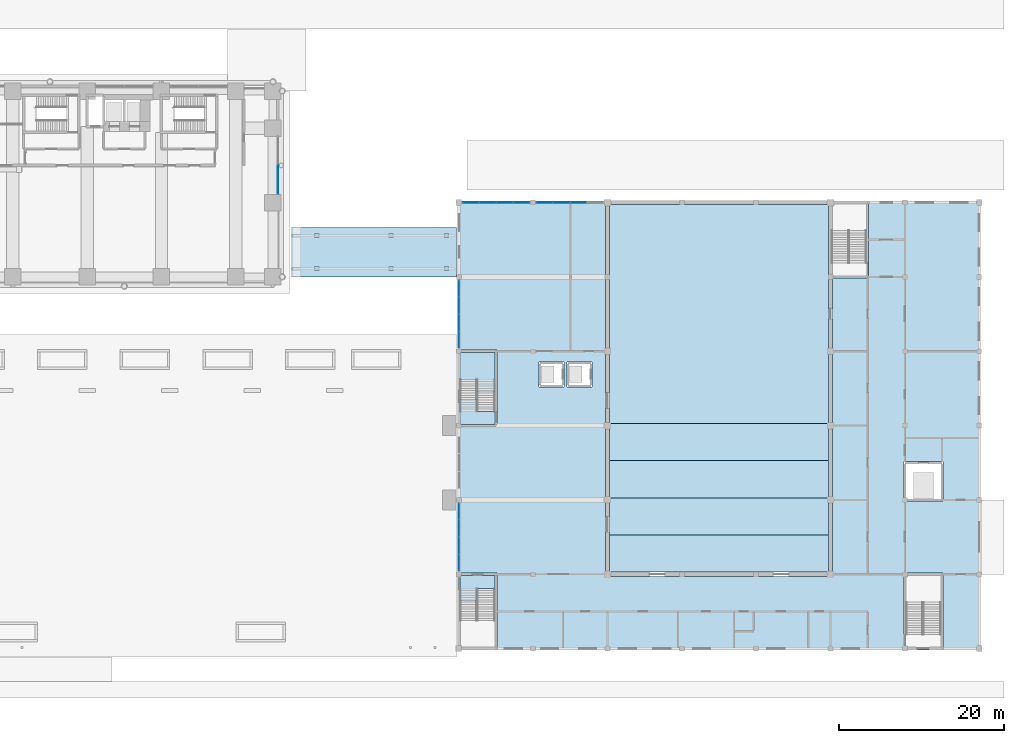
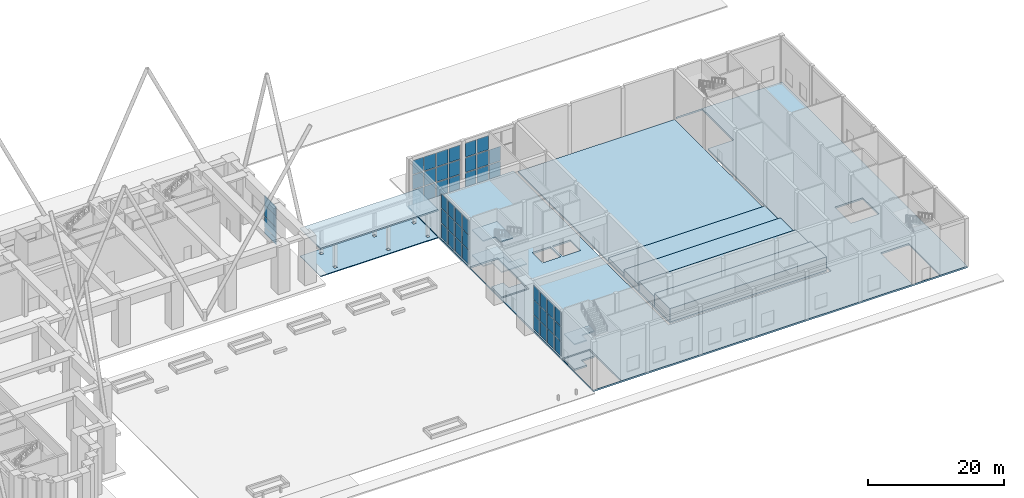
# One storey, part 24 of 44: 48 plates, 14 slabs, 7 elements without a shape of their own.
"""IFC4 building model written with IfcOpenShell, lengths in metres."""

from ifc_helpers import new_model, si_unit, direction, frame, origin, origin_2d, place, context, subcontext, project, spatial, polyline, rectangle, outline, extrude, material, layer, layer_set, type_object, element, aggregate, save


model = new_model("IFC4")

# Units and contexts
model_context = context("Model", 3, precision=1e-05, world=origin(), true_north=direction((0.0, 1.0)))
body_context = subcontext(model_context, "Body", "Model", "MODEL_VIEW")
ifc_project = project(units=[si_unit("LENGTHUNIT", "METRE"), si_unit("AREAUNIT", "SQUARE_METRE"), si_unit("VOLUMEUNIT", "CUBIC_METRE"), si_unit("PLANEANGLEUNIT", "RADIAN"), si_unit("MASSUNIT", "GRAM", prefix="KILO")], contexts=[model_context])

# Site, building, storey
site_placement = place(None, origin())
site = spatial("IfcSite", under=ifc_project, at=site_placement, CompositionType="ELEMENT")
building_placement = place(site_placement, origin())
building = spatial("IfcBuilding", under=site, at=building_placement, Name="Firuza Court", CompositionType="ELEMENT")
storey_placement = place(building_placement, origin())
storey = spatial("IfcBuildingStorey", under=building, at=storey_placement, Name="L00", CompositionType="ELEMENT", Elevation=0.0)

# Curtain wall, plates
ifc_material_1 = material(Name="Aluminium", Category="aluminium")
curtain_wall_type_1 = type_object("IfcCurtainWallType", Name="CW6 FOYER CURTAIN WALL", PredefinedType="NOTDEFINED", material=ifc_material_1)
curtain_wall_1_placement = place(storey_placement, origin())
curtain_wall_1 = element("IfcCurtainWall", 1, at=curtain_wall_1_placement, inside=storey, type_object=curtain_wall_type_1, Name="CW6 foyer curtain wall 1", PredefinedType="NOTDEFINED")
ifc_material_2 = material(Name="Glass", Category="glass")
ifc_layer_1 = layer(ifc_material_2, 0.028076171875)
ifc_layer_set_1 = layer_set([ifc_layer_1], Name="Glass")
plate_type_1 = type_object("IfcPlateType", Name="CW6 GLASS PANEL 28", PredefinedType="CURTAIN_PANEL", material=ifc_layer_set_1)
plate_1_placement = place(storey_placement, frame((90.0, 1.389892578125, 0.119873046875), z_axis=(0.0, 0.0, 1.0), x_axis=(0.0, 1.0, 0.0)))
plate_1 = element("IfcPlate", 2, at=plate_1_placement, type_object=plate_type_1, Name="CW6 panel 1.1", PredefinedType="CURTAIN_PANEL", context=body_context, shape_type="SweptSolid", body=[
    extrude(rectangle(XDim=1.860107421875, YDim=0.028076171875, at=origin_2d()), origin(), (0.0, 0.0, 1.0), 2.52001953125),
])
plate_2_placement = place(storey_placement, frame((90.0, 1.389892578125, 2.760009765625), z_axis=(0.0, 0.0, 1.0), x_axis=(0.0, 1.0, 0.0)))
plate_2 = element("IfcPlate", 3, at=plate_2_placement, type_object=plate_type_1, Name="CW6 panel 1.2", PredefinedType="CURTAIN_PANEL", context=body_context, shape_type="SweptSolid", body=[
    extrude(rectangle(XDim=1.860107421875, YDim=0.028076171875, at=origin_2d()), origin(), (0.0, 0.0, 1.0), 2.580078125),
])
plate_3_placement = place(storey_placement, frame((90.0, 1.389892578125, 5.4599609375), z_axis=(0.0, 0.0, 1.0), x_axis=(0.0, 1.0, 0.0)))
plate_3 = element("IfcPlate", 4, at=plate_3_placement, type_object=plate_type_1, Name="CW6 panel 1.3", PredefinedType="CURTAIN_PANEL", context=body_context, shape_type="SweptSolid", body=[
    extrude(rectangle(XDim=1.860107421875, YDim=0.028076171875, at=origin_2d()), origin(), (0.0, 0.0, 1.0), 2.52001953125),
])
plate_4_placement = place(storey_placement, frame((90.0, 3.449951171875, 0.119873046875), z_axis=(0.0, 0.0, 1.0), x_axis=(0.0, 1.0, 0.0)))
plate_4 = element("IfcPlate", 5, at=plate_4_placement, type_object=plate_type_1, Name="CW6 panel 2.1", PredefinedType="CURTAIN_PANEL", context=body_context, shape_type="SweptSolid", body=[
    extrude(rectangle(XDim=1.93994140625, YDim=0.028076171875, at=origin_2d()), origin(), (0.0, 0.0, 1.0), 2.52001953125),
])
plate_5_placement = place(storey_placement, frame((90.0, 3.449951171875, 2.760009765625), z_axis=(0.0, 0.0, 1.0), x_axis=(0.0, 1.0, 0.0)))
plate_5 = element("IfcPlate", 6, at=plate_5_placement, type_object=plate_type_1, Name="CW6 panel 2.2", PredefinedType="CURTAIN_PANEL", context=body_context, shape_type="SweptSolid", body=[
    extrude(rectangle(XDim=1.93994140625, YDim=0.028076171875, at=origin_2d()), origin(), (0.0, 0.0, 1.0), 2.580078125),
])
plate_6_placement = place(storey_placement, frame((90.0, 3.449951171875, 5.4599609375), z_axis=(0.0, 0.0, 1.0), x_axis=(0.0, 1.0, 0.0)))
plate_6 = element("IfcPlate", 7, at=plate_6_placement, type_object=plate_type_1, Name="CW6 panel 2.3", PredefinedType="CURTAIN_PANEL", context=body_context, shape_type="SweptSolid", body=[
    extrude(rectangle(XDim=1.93994140625, YDim=0.028076171875, at=origin_2d()), origin(), (0.0, 0.0, 1.0), 2.52001953125),
])
plate_7_placement = place(storey_placement, frame((90.0, 5.550048828125, 0.119873046875), z_axis=(0.0, 0.0, 1.0), x_axis=(0.0, 1.0, 0.0)))
plate_7 = element("IfcPlate", 8, at=plate_7_placement, type_object=plate_type_1, Name="CW6 panel 3.1", PredefinedType="CURTAIN_PANEL", context=body_context, shape_type="SweptSolid", body=[
    extrude(rectangle(XDim=1.93994140625, YDim=0.028076171875, at=origin_2d()), origin(), (0.0, 0.0, 1.0), 2.52001953125),
])
plate_8_placement = place(storey_placement, frame((90.0, 5.550048828125, 2.760009765625), z_axis=(0.0, 0.0, 1.0), x_axis=(0.0, 1.0, 0.0)))
plate_8 = element("IfcPlate", 9, at=plate_8_placement, type_object=plate_type_1, Name="CW6 panel 3.2", PredefinedType="CURTAIN_PANEL", context=body_context, shape_type="SweptSolid", body=[
    extrude(rectangle(XDim=1.93994140625, YDim=0.028076171875, at=origin_2d()), origin(), (0.0, 0.0, 1.0), 2.580078125),
])
plate_9_placement = place(storey_placement, frame((90.0, 5.550048828125, 5.4599609375), z_axis=(0.0, 0.0, 1.0), x_axis=(0.0, 1.0, 0.0)))
plate_9 = element("IfcPlate", 10, at=plate_9_placement, type_object=plate_type_1, Name="CW6 panel 3.3", PredefinedType="CURTAIN_PANEL", context=body_context, shape_type="SweptSolid", body=[
    extrude(rectangle(XDim=1.93994140625, YDim=0.028076171875, at=origin_2d()), origin(), (0.0, 0.0, 1.0), 2.52001953125),
])
plate_10_placement = place(storey_placement, frame((90.0, 7.610107421875, 0.119873046875), z_axis=(0.0, 0.0, 1.0), x_axis=(0.0, 1.0, 0.0)))
plate_10 = element("IfcPlate", 11, at=plate_10_placement, type_object=plate_type_1, Name="CW6 panel 4.1", PredefinedType="CURTAIN_PANEL", context=body_context, shape_type="SweptSolid", body=[
    extrude(rectangle(XDim=1.860107421875, YDim=0.028076171875, at=origin_2d()), origin(), (0.0, 0.0, 1.0), 2.52001953125),
])
plate_11_placement = place(storey_placement, frame((90.0, 7.610107421875, 2.760009765625), z_axis=(0.0, 0.0, 1.0), x_axis=(0.0, 1.0, 0.0)))
plate_11 = element("IfcPlate", 12, at=plate_11_placement, type_object=plate_type_1, Name="CW6 panel 4.2", PredefinedType="CURTAIN_PANEL", context=body_context, shape_type="SweptSolid", body=[
    extrude(rectangle(XDim=1.860107421875, YDim=0.028076171875, at=origin_2d()), origin(), (0.0, 0.0, 1.0), 2.580078125),
])
plate_12_placement = place(storey_placement, frame((90.0, 7.610107421875, 5.4599609375), z_axis=(0.0, 0.0, 1.0), x_axis=(0.0, 1.0, 0.0)))
plate_12 = element("IfcPlate", 13, at=plate_12_placement, type_object=plate_type_1, Name="CW6 panel 4.3", PredefinedType="CURTAIN_PANEL", context=body_context, shape_type="SweptSolid", body=[
    extrude(rectangle(XDim=1.860107421875, YDim=0.028076171875, at=origin_2d()), origin(), (0.0, 0.0, 1.0), 2.52001953125),
])
aggregate(curtain_wall_1, [plate_1, plate_2, plate_3, plate_4, plate_5, plate_6, plate_7, plate_8, plate_9, plate_10, plate_11, plate_12])

curtain_wall_2_placement = place(storey_placement, origin())
curtain_wall_2 = element("IfcCurtainWall", 14, at=curtain_wall_2_placement, inside=storey, type_object=curtain_wall_type_1, Name="CW6 foyer curtain wall 2", PredefinedType="NOTDEFINED")
plate_13_placement = place(storey_placement, frame((90.0, 28.389892578125, 0.119873046875), z_axis=(0.0, 0.0, 1.0), x_axis=(0.0, 1.0, 0.0)))
plate_13 = element("IfcPlate", 15, at=plate_13_placement, type_object=plate_type_1, Name="CW6 panel 1.1", PredefinedType="CURTAIN_PANEL", context=body_context, shape_type="SweptSolid", body=[
    extrude(rectangle(XDim=1.860107421875, YDim=0.028076171875, at=origin_2d()), origin(), (0.0, 0.0, 1.0), 2.52001953125),
])
plate_14_placement = place(storey_placement, frame((90.0, 28.389892578125, 2.760009765625), z_axis=(0.0, 0.0, 1.0), x_axis=(0.0, 1.0, 0.0)))
plate_14 = element("IfcPlate", 16, at=plate_14_placement, type_object=plate_type_1, Name="CW6 panel 1.2", PredefinedType="CURTAIN_PANEL", context=body_context, shape_type="SweptSolid", body=[
    extrude(rectangle(XDim=1.860107421875, YDim=0.028076171875, at=origin_2d()), origin(), (0.0, 0.0, 1.0), 2.580078125),
])
plate_15_placement = place(storey_placement, frame((90.0, 28.389892578125, 5.4599609375), z_axis=(0.0, 0.0, 1.0), x_axis=(0.0, 1.0, 0.0)))
plate_15 = element("IfcPlate", 17, at=plate_15_placement, type_object=plate_type_1, Name="CW6 panel 1.3", PredefinedType="CURTAIN_PANEL", context=body_context, shape_type="SweptSolid", body=[
    extrude(rectangle(XDim=1.860107421875, YDim=0.028076171875, at=origin_2d()), origin(), (0.0, 0.0, 1.0), 2.52001953125),
])
plate_16_placement = place(storey_placement, frame((90.0, 30.449951171875, 0.119873046875), z_axis=(0.0, 0.0, 1.0), x_axis=(0.0, 1.0, 0.0)))
plate_16 = element("IfcPlate", 18, at=plate_16_placement, type_object=plate_type_1, Name="CW6 panel 2.1", PredefinedType="CURTAIN_PANEL", context=body_context, shape_type="SweptSolid", body=[
    extrude(rectangle(XDim=1.93994140625, YDim=0.028076171875, at=origin_2d()), origin(), (0.0, 0.0, 1.0), 2.52001953125),
])
plate_17_placement = place(storey_placement, frame((90.0, 30.449951171875, 2.760009765625), z_axis=(0.0, 0.0, 1.0), x_axis=(0.0, 1.0, 0.0)))
plate_17 = element("IfcPlate", 19, at=plate_17_placement, type_object=plate_type_1, Name="CW6 panel 2.2", PredefinedType="CURTAIN_PANEL", context=body_context, shape_type="SweptSolid", body=[
    extrude(rectangle(XDim=1.93994140625, YDim=0.028076171875, at=origin_2d()), origin(), (0.0, 0.0, 1.0), 2.580078125),
])
plate_18_placement = place(storey_placement, frame((90.0, 30.449951171875, 5.4599609375), z_axis=(0.0, 0.0, 1.0), x_axis=(0.0, 1.0, 0.0)))
plate_18 = element("IfcPlate", 20, at=plate_18_placement, type_object=plate_type_1, Name="CW6 panel 2.3", PredefinedType="CURTAIN_PANEL", context=body_context, shape_type="SweptSolid", body=[
    extrude(rectangle(XDim=1.93994140625, YDim=0.028076171875, at=origin_2d()), origin(), (0.0, 0.0, 1.0), 2.52001953125),
])
plate_19_placement = place(storey_placement, frame((90.0, 32.550048828125, 0.119873046875), z_axis=(0.0, 0.0, 1.0), x_axis=(0.0, 1.0, 0.0)))
plate_19 = element("IfcPlate", 21, at=plate_19_placement, type_object=plate_type_1, Name="CW6 panel 3.1", PredefinedType="CURTAIN_PANEL", context=body_context, shape_type="SweptSolid", body=[
    extrude(rectangle(XDim=1.93994140625, YDim=0.028076171875, at=origin_2d()), origin(), (0.0, 0.0, 1.0), 2.52001953125),
])
plate_20_placement = place(storey_placement, frame((90.0, 32.550048828125, 2.760009765625), z_axis=(0.0, 0.0, 1.0), x_axis=(0.0, 1.0, 0.0)))
plate_20 = element("IfcPlate", 22, at=plate_20_placement, type_object=plate_type_1, Name="CW6 panel 3.2", PredefinedType="CURTAIN_PANEL", context=body_context, shape_type="SweptSolid", body=[
    extrude(rectangle(XDim=1.93994140625, YDim=0.028076171875, at=origin_2d()), origin(), (0.0, 0.0, 1.0), 2.580078125),
])
plate_21_placement = place(storey_placement, frame((90.0, 32.550048828125, 5.4599609375), z_axis=(0.0, 0.0, 1.0), x_axis=(0.0, 1.0, 0.0)))
plate_21 = element("IfcPlate", 23, at=plate_21_placement, type_object=plate_type_1, Name="CW6 panel 3.3", PredefinedType="CURTAIN_PANEL", context=body_context, shape_type="SweptSolid", body=[
    extrude(rectangle(XDim=1.93994140625, YDim=0.028076171875, at=origin_2d()), origin(), (0.0, 0.0, 1.0), 2.52001953125),
])
plate_22_placement = place(storey_placement, frame((90.0, 34.610107421875, 0.119873046875), z_axis=(0.0, 0.0, 1.0), x_axis=(0.0, 1.0, 0.0)))
plate_22 = element("IfcPlate", 24, at=plate_22_placement, type_object=plate_type_1, Name="CW6 panel 4.1", PredefinedType="CURTAIN_PANEL", context=body_context, shape_type="SweptSolid", body=[
    extrude(rectangle(XDim=1.860107421875, YDim=0.028076171875, at=origin_2d()), origin(), (0.0, 0.0, 1.0), 2.52001953125),
])
plate_23_placement = place(storey_placement, frame((90.0, 34.610107421875, 2.760009765625), z_axis=(0.0, 0.0, 1.0), x_axis=(0.0, 1.0, 0.0)))
plate_23 = element("IfcPlate", 25, at=plate_23_placement, type_object=plate_type_1, Name="CW6 panel 4.2", PredefinedType="CURTAIN_PANEL", context=body_context, shape_type="SweptSolid", body=[
    extrude(rectangle(XDim=1.860107421875, YDim=0.028076171875, at=origin_2d()), origin(), (0.0, 0.0, 1.0), 2.580078125),
])
plate_24_placement = place(storey_placement, frame((90.0, 34.610107421875, 5.4599609375), z_axis=(0.0, 0.0, 1.0), x_axis=(0.0, 1.0, 0.0)))
plate_24 = element("IfcPlate", 26, at=plate_24_placement, type_object=plate_type_1, Name="CW6 panel 4.3", PredefinedType="CURTAIN_PANEL", context=body_context, shape_type="SweptSolid", body=[
    extrude(rectangle(XDim=1.860107421875, YDim=0.028076171875, at=origin_2d()), origin(), (0.0, 0.0, 1.0), 2.52001953125),
])
aggregate(curtain_wall_2, [plate_13, plate_14, plate_15, plate_16, plate_17, plate_18, plate_19, plate_20, plate_21, plate_22, plate_23, plate_24])

curtain_wall_3_placement = place(storey_placement, origin())
curtain_wall_3 = element("IfcCurtainWall", 27, at=curtain_wall_3_placement, inside=storey, type_object=curtain_wall_type_1, Name="CW6 foyer curtain wall 3", PredefinedType="NOTDEFINED")
plate_25_placement = place(storey_placement, frame((91.433837890625, 45.0, 0.119873046875), z_axis=(0.0, 0.0, 1.0), x_axis=(1.0, 0.0, 0.0)))
plate_25 = element("IfcPlate", 28, at=plate_25_placement, type_object=plate_type_1, Name="CW6 panel 1.1", PredefinedType="CURTAIN_PANEL", context=body_context, shape_type="SweptSolid", body=[
    extrude(rectangle(XDim=1.847412109375, YDim=0.028076171875, at=origin_2d()), origin(), (0.0, 0.0, 1.0), 2.52001953125),
])
plate_26_placement = place(storey_placement, frame((91.433837890625, 45.0, 2.760009765625), z_axis=(0.0, 0.0, 1.0), x_axis=(1.0, 0.0, 0.0)))
plate_26 = element("IfcPlate", 29, at=plate_26_placement, type_object=plate_type_1, Name="CW6 panel 1.2", PredefinedType="CURTAIN_PANEL", context=body_context, shape_type="SweptSolid", body=[
    extrude(rectangle(XDim=1.847412109375, YDim=0.028076171875, at=origin_2d()), origin(), (0.0, 0.0, 1.0), 2.580078125),
])
plate_27_placement = place(storey_placement, frame((91.433837890625, 45.0, 5.4599609375), z_axis=(0.0, 0.0, 1.0), x_axis=(1.0, 0.0, 0.0)))
plate_27 = element("IfcPlate", 30, at=plate_27_placement, type_object=plate_type_1, Name="CW6 panel 1.3", PredefinedType="CURTAIN_PANEL", context=body_context, shape_type="SweptSolid", body=[
    extrude(rectangle(XDim=1.847412109375, YDim=0.028076171875, at=origin_2d()), origin(), (0.0, 0.0, 1.0), 2.52001953125),
])
plate_28_placement = place(storey_placement, frame((93.481201171875, 45.0, 0.119873046875), z_axis=(0.0, 0.0, 1.0), x_axis=(1.0, 0.0, 0.0)))
plate_28 = element("IfcPlate", 31, at=plate_28_placement, type_object=plate_type_1, Name="CW6 panel 2.1", PredefinedType="CURTAIN_PANEL", context=body_context, shape_type="SweptSolid", body=[
    extrude(rectangle(XDim=1.927490234375, YDim=0.028076171875, at=origin_2d()), origin(), (0.0, 0.0, 1.0), 2.52001953125),
])
plate_29_placement = place(storey_placement, frame((93.481201171875, 45.0, 2.760009765625), z_axis=(0.0, 0.0, 1.0), x_axis=(1.0, 0.0, 0.0)))
plate_29 = element("IfcPlate", 32, at=plate_29_placement, type_object=plate_type_1, Name="CW6 panel 2.2", PredefinedType="CURTAIN_PANEL", context=body_context, shape_type="SweptSolid", body=[
    extrude(rectangle(XDim=1.927490234375, YDim=0.028076171875, at=origin_2d()), origin(), (0.0, 0.0, 1.0), 2.580078125),
])
plate_30_placement = place(storey_placement, frame((93.481201171875, 45.0, 5.4599609375), z_axis=(0.0, 0.0, 1.0), x_axis=(1.0, 0.0, 0.0)))
plate_30 = element("IfcPlate", 33, at=plate_30_placement, type_object=plate_type_1, Name="CW6 panel 2.3", PredefinedType="CURTAIN_PANEL", context=body_context, shape_type="SweptSolid", body=[
    extrude(rectangle(XDim=1.927490234375, YDim=0.028076171875, at=origin_2d()), origin(), (0.0, 0.0, 1.0), 2.52001953125),
])
plate_31_placement = place(storey_placement, frame((95.56884765625, 45.0, 0.119873046875), z_axis=(0.0, 0.0, 1.0), x_axis=(1.0, 0.0, 0.0)))
plate_31 = element("IfcPlate", 34, at=plate_31_placement, type_object=plate_type_1, Name="CW6 panel 3.1", PredefinedType="CURTAIN_PANEL", context=body_context, shape_type="SweptSolid", body=[
    extrude(rectangle(XDim=1.927490234375, YDim=0.028076171875, at=origin_2d()), origin(), (0.0, 0.0, 1.0), 2.52001953125),
])
plate_32_placement = place(storey_placement, frame((95.56884765625, 45.0, 2.760009765625), z_axis=(0.0, 0.0, 1.0), x_axis=(1.0, 0.0, 0.0)))
plate_32 = element("IfcPlate", 35, at=plate_32_placement, type_object=plate_type_1, Name="CW6 panel 3.2", PredefinedType="CURTAIN_PANEL", context=body_context, shape_type="SweptSolid", body=[
    extrude(rectangle(XDim=1.927490234375, YDim=0.028076171875, at=origin_2d()), origin(), (0.0, 0.0, 1.0), 2.580078125),
])
plate_33_placement = place(storey_placement, frame((95.56884765625, 45.0, 5.4599609375), z_axis=(0.0, 0.0, 1.0), x_axis=(1.0, 0.0, 0.0)))
plate_33 = element("IfcPlate", 36, at=plate_33_placement, type_object=plate_type_1, Name="CW6 panel 3.3", PredefinedType="CURTAIN_PANEL", context=body_context, shape_type="SweptSolid", body=[
    extrude(rectangle(XDim=1.927490234375, YDim=0.028076171875, at=origin_2d()), origin(), (0.0, 0.0, 1.0), 2.52001953125),
])
plate_34_placement = place(storey_placement, frame((97.6162109375, 45.0, 0.119873046875), z_axis=(0.0, 0.0, 1.0), x_axis=(1.0, 0.0, 0.0)))
plate_34 = element("IfcPlate", 37, at=plate_34_placement, type_object=plate_type_1, Name="CW6 panel 4.1", PredefinedType="CURTAIN_PANEL", context=body_context, shape_type="SweptSolid", body=[
    extrude(rectangle(XDim=1.847412109375, YDim=0.028076171875, at=origin_2d()), origin(), (0.0, 0.0, 1.0), 2.52001953125),
])
plate_35_placement = place(storey_placement, frame((97.6162109375, 45.0, 2.760009765625), z_axis=(0.0, 0.0, 1.0), x_axis=(1.0, 0.0, 0.0)))
plate_35 = element("IfcPlate", 38, at=plate_35_placement, type_object=plate_type_1, Name="CW6 panel 4.2", PredefinedType="CURTAIN_PANEL", context=body_context, shape_type="SweptSolid", body=[
    extrude(rectangle(XDim=1.847412109375, YDim=0.028076171875, at=origin_2d()), origin(), (0.0, 0.0, 1.0), 2.580078125),
])
plate_36_placement = place(storey_placement, frame((97.6162109375, 45.0, 5.4599609375), z_axis=(0.0, 0.0, 1.0), x_axis=(1.0, 0.0, 0.0)))
plate_36 = element("IfcPlate", 39, at=plate_36_placement, type_object=plate_type_1, Name="CW6 panel 4.3", PredefinedType="CURTAIN_PANEL", context=body_context, shape_type="SweptSolid", body=[
    extrude(rectangle(XDim=1.847412109375, YDim=0.028076171875, at=origin_2d()), origin(), (0.0, 0.0, 1.0), 2.52001953125),
])
aggregate(curtain_wall_3, [plate_25, plate_26, plate_27, plate_28, plate_29, plate_30, plate_31, plate_32, plate_33, plate_34, plate_35, plate_36])

curtain_wall_4_placement = place(storey_placement, origin())
curtain_wall_4 = element("IfcCurtainWall", 40, at=curtain_wall_4_placement, inside=storey, type_object=curtain_wall_type_1, Name="CW6 foyer curtain wall 4", PredefinedType="NOTDEFINED")
plate_37_placement = place(storey_placement, frame((100.37744140625, 45.0, 0.119873046875), z_axis=(0.0, 0.0, 1.0), x_axis=(1.0, 0.0, 0.0)))
plate_37 = element("IfcPlate", 41, at=plate_37_placement, type_object=plate_type_1, Name="CW6 panel 1.1", PredefinedType="CURTAIN_PANEL", context=body_context, shape_type="SweptSolid", body=[
    extrude(rectangle(XDim=1.8349609375, YDim=0.028076171875, at=origin_2d()), origin(), (0.0, 0.0, 1.0), 2.52001953125),
])
plate_38_placement = place(storey_placement, frame((100.37744140625, 45.0, 2.760009765625), z_axis=(0.0, 0.0, 1.0), x_axis=(1.0, 0.0, 0.0)))
plate_38 = element("IfcPlate", 42, at=plate_38_placement, type_object=plate_type_1, Name="CW6 panel 1.2", PredefinedType="CURTAIN_PANEL", context=body_context, shape_type="SweptSolid", body=[
    extrude(rectangle(XDim=1.8349609375, YDim=0.028076171875, at=origin_2d()), origin(), (0.0, 0.0, 1.0), 2.580078125),
])
plate_39_placement = place(storey_placement, frame((100.37744140625, 45.0, 5.4599609375), z_axis=(0.0, 0.0, 1.0), x_axis=(1.0, 0.0, 0.0)))
plate_39 = element("IfcPlate", 43, at=plate_39_placement, type_object=plate_type_1, Name="CW6 panel 1.3", PredefinedType="CURTAIN_PANEL", context=body_context, shape_type="SweptSolid", body=[
    extrude(rectangle(XDim=1.8349609375, YDim=0.028076171875, at=origin_2d()), origin(), (0.0, 0.0, 1.0), 2.52001953125),
])
plate_40_placement = place(storey_placement, frame((102.41259765625, 45.0, 0.119873046875), z_axis=(0.0, 0.0, 1.0), x_axis=(1.0, 0.0, 0.0)))
plate_40 = element("IfcPlate", 44, at=plate_40_placement, type_object=plate_type_1, Name="CW6 panel 2.1", PredefinedType="CURTAIN_PANEL", context=body_context, shape_type="SweptSolid", body=[
    extrude(rectangle(XDim=1.9150390625, YDim=0.028076171875, at=origin_2d()), origin(), (0.0, 0.0, 1.0), 2.52001953125),
])
plate_41_placement = place(storey_placement, frame((102.41259765625, 45.0, 2.760009765625), z_axis=(0.0, 0.0, 1.0), x_axis=(1.0, 0.0, 0.0)))
plate_41 = element("IfcPlate", 45, at=plate_41_placement, type_object=plate_type_1, Name="CW6 panel 2.2", PredefinedType="CURTAIN_PANEL", context=body_context, shape_type="SweptSolid", body=[
    extrude(rectangle(XDim=1.9150390625, YDim=0.028076171875, at=origin_2d()), origin(), (0.0, 0.0, 1.0), 2.580078125),
])
plate_42_placement = place(storey_placement, frame((102.41259765625, 45.0, 5.4599609375), z_axis=(0.0, 0.0, 1.0), x_axis=(1.0, 0.0, 0.0)))
plate_42 = element("IfcPlate", 46, at=plate_42_placement, type_object=plate_type_1, Name="CW6 panel 2.3", PredefinedType="CURTAIN_PANEL", context=body_context, shape_type="SweptSolid", body=[
    extrude(rectangle(XDim=1.9150390625, YDim=0.028076171875, at=origin_2d()), origin(), (0.0, 0.0, 1.0), 2.52001953125),
])
plate_43_placement = place(storey_placement, frame((104.487548828125, 45.0, 0.119873046875), z_axis=(0.0, 0.0, 1.0), x_axis=(1.0, 0.0, 0.0)))
plate_43 = element("IfcPlate", 47, at=plate_43_placement, type_object=plate_type_1, Name="CW6 panel 3.1", PredefinedType="CURTAIN_PANEL", context=body_context, shape_type="SweptSolid", body=[
    extrude(rectangle(XDim=1.9150390625, YDim=0.028076171875, at=origin_2d()), origin(), (0.0, 0.0, 1.0), 2.52001953125),
])
plate_44_placement = place(storey_placement, frame((104.487548828125, 45.0, 2.760009765625), z_axis=(0.0, 0.0, 1.0), x_axis=(1.0, 0.0, 0.0)))
plate_44 = element("IfcPlate", 48, at=plate_44_placement, type_object=plate_type_1, Name="CW6 panel 3.2", PredefinedType="CURTAIN_PANEL", context=body_context, shape_type="SweptSolid", body=[
    extrude(rectangle(XDim=1.9150390625, YDim=0.028076171875, at=origin_2d()), origin(), (0.0, 0.0, 1.0), 2.580078125),
])
aggregate(curtain_wall_4, [plate_37, plate_38, plate_39, plate_40, plate_41, plate_42, plate_43, plate_44])

ifc_material_3 = material(Name="Aluminium curtain wall, triple clear glazing", Category="aluminium")
curtain_wall_type_2 = type_object("IfcCurtainWallType", Name="Ground lobby stick shopfront CW2", PredefinedType="NOTDEFINED", material=ifc_material_3)
curtain_wall_5_placement = place(storey_placement, origin())
curtain_wall_5 = element("IfcCurtainWall", 49, at=curtain_wall_5_placement, inside=storey, type_object=curtain_wall_type_2, Name="Ground lobby stick shopfront CW2 L00", PredefinedType="NOTDEFINED")
ifc_material_4 = material(Name="Triple clear glazing", Category="glass")
ifc_layer_2 = layer(ifc_material_4, 0.031982421875)
ifc_layer_set_2 = layer_set([ifc_layer_2], Name="Triple clear glazing")
plate_type_2 = type_object("IfcPlateType", Name="Glazed panel 32 CW2", PredefinedType="CURTAIN_PANEL", material=ifc_layer_set_2)
plate_45_placement = place(storey_placement, frame((68.10009765625, 47.764892578125, 0.06005859375), z_axis=(0.0, 0.0, 1.0), x_axis=(0.0, 1.0, 0.0)))
plate_45 = element("IfcPlate", 50, at=plate_45_placement, type_object=plate_type_2, Name="CW2 panel 1.1", PredefinedType="CURTAIN_PANEL", context=body_context, shape_type="SweptSolid", body=[
    extrude(rectangle(XDim=3.409912109375, YDim=0.031982421875, at=origin_2d()), origin(), (0.0, 0.0, 1.0), 1.110107421875),
])
plate_46_placement = place(storey_placement, frame((68.10009765625, 47.764892578125, 1.22998046875), z_axis=(0.0, 0.0, 1.0), x_axis=(0.0, 1.0, 0.0)))
plate_46 = element("IfcPlate", 51, at=plate_46_placement, type_object=plate_type_2, Name="CW2 panel 1.2", PredefinedType="CURTAIN_PANEL", context=body_context, shape_type="SweptSolid", body=[
    extrude(rectangle(XDim=3.409912109375, YDim=0.031982421875, at=origin_2d()), origin(), (0.0, 0.0, 1.0), 1.93994140625),
])
plate_47_placement = place(storey_placement, frame((68.10009765625, 47.764892578125, 3.22998046875), z_axis=(0.0, 0.0, 1.0), x_axis=(0.0, 1.0, 0.0)))
plate_47 = element("IfcPlate", 52, at=plate_47_placement, type_object=plate_type_2, Name="CW2 panel 1.3", PredefinedType="CURTAIN_PANEL", context=body_context, shape_type="SweptSolid", body=[
    extrude(rectangle(XDim=3.409912109375, YDim=0.031982421875, at=origin_2d()), origin(), (0.0, 0.0, 1.0), 1.93994140625),
])
plate_48_placement = place(storey_placement, frame((68.10009765625, 47.764892578125, 5.22998046875), z_axis=(0.0, 0.0, 1.0), x_axis=(0.0, 1.0, 0.0)))
plate_48 = element("IfcPlate", 53, at=plate_48_placement, type_object=plate_type_2, Name="CW2 panel 1.4", PredefinedType="CURTAIN_PANEL", context=body_context, shape_type="SweptSolid", body=[
    extrude(rectangle(XDim=3.409912109375, YDim=0.031982421875, at=origin_2d()), origin(), (0.0, 0.0, 1.0), 1.7099609375),
])
aggregate(curtain_wall_5, [plate_45, plate_46, plate_47, plate_48])

# Slabs
ifc_material_5 = material(Name="Concrete C40/50", Category="concrete")
ifc_layer_3 = layer(ifc_material_5, 0.300048828125)
ifc_layer_set_3 = layer_set([ifc_layer_3], Name="Concrete C40/50")
slab_type_1 = type_object("IfcSlabType", Name="HALL ARCADE ROOF 300", PredefinedType="ROOF", material=ifc_layer_set_3)
slab_1_placement = place(storey_placement, frame((0.0, 0.0, 4.699951171875)))
element("IfcSlab", 54, at=slab_1_placement, inside=storey, type_object=slab_type_1, Name="Arcade roof slab", PredefinedType="ROOF", context=body_context, shape_type="SweptSolid", body=[
    extrude(outline(polyline([(89.699951171875, 36.0), (89.699951171875, 42.0), (69.800048828125, 42.0), (69.800048828125, 36.0), (89.699951171875, 36.0)])), origin(), (0.0, 0.0, 1.0), 0.300048828125),
])
ifc_layer_4 = layer(ifc_material_5, 0.300048828125)
ifc_layer_set_4 = layer_set([ifc_layer_4], Name="Concrete C40/50")
slab_type_2 = type_object("IfcSlabType", Name="HALL FLAT SLAB 300", PredefinedType="FLOOR", material=ifc_layer_set_4)
slab_2_placement = place(storey_placement, frame((0.0, 0.0, -0.300048828125)))
element("IfcSlab", 55, at=slab_2_placement, inside=storey, type_object=slab_type_2, Name="Floor slab L00.2", PredefinedType="FLOOR", context=body_context, shape_type="SweptSolid", body=[
    extrude(outline(polyline([(90.125, -3.199951171875), (90.125, -0.125), (94.375, -0.125), (94.375, -1.7099609375), (92.199951171875, -1.7099609375), (92.199951171875, -3.199951171875), (90.125, -3.199951171875)])), origin(), (0.0, 0.0, 1.0), 0.300048828125),
])
slab_3_placement = place(storey_placement, frame((0.0, 0.0, -0.300048828125)))
element("IfcSlab", 56, at=slab_3_placement, inside=storey, type_object=slab_type_2, Name="Floor slab L00.3", PredefinedType="FLOOR", context=body_context, shape_type="SweptSolid", body=[
    extrude(outline(polyline([(107.75, 45.175048828125), (107.75, -0.25), (135.25, -0.25), (135.25, 35.875), (139.625, 35.875), (139.625, 45.125), (135.25, 45.125), (135.25, 45.175048828125), (153.175048828125, 45.175048828125), (153.175048828125, -9.175048828125), (89.824951171875, -9.175048828125), (89.824951171875, 45.175048828125), (107.75, 45.175048828125)]), holes=[polyline([(94.625, 0.125), (89.875, 0.125), (89.875, -9.125), (94.625, -9.125), (94.625, 0.125)]), polyline([(148.625, 0.125), (143.875, 0.125), (143.875, -9.125), (148.625, -9.125), (148.625, 0.125)]), polyline([(148.625, 13.625), (143.875, 13.625), (143.875, 8.875), (148.625, 8.875), (148.625, 13.625)]), polyline([(94.625, 27.125), (89.875, 27.125), (89.875, 17.875), (94.625, 17.875), (94.625, 27.125)]), polyline([(102.72509765625, 25.72509765625), (99.675048828125, 25.72509765625), (99.675048828125, 22.675048828125), (102.72509765625, 22.675048828125), (102.72509765625, 25.72509765625)]), polyline([(106.125, 25.72509765625), (103.074951171875, 25.72509765625), (103.074951171875, 22.675048828125), (106.125, 22.675048828125), (106.125, 25.72509765625)])]), origin(), (0.0, 0.0, 1.0), 0.300048828125),
])
slab_4_placement = place(storey_placement, frame((0.0, 0.0, -0.300048828125)))
element("IfcSlab", 57, at=slab_4_placement, inside=storey, type_object=slab_type_2, Name="Floor slab L00.4", PredefinedType="FLOOR", context=body_context, shape_type="SweptSolid", body=[
    extrude(outline(polyline([(90.125, 18.125), (90.125, 21.199951171875), (92.199951171875, 21.199951171875), (92.199951171875, 19.7099609375), (94.375, 19.7099609375), (94.375, 18.125), (90.125, 18.125)])), origin(), (0.0, 0.0, 1.0), 0.300048828125),
])
slab_5_placement = place(storey_placement, frame((0.0, 0.0, -0.300048828125)))
element("IfcSlab", 58, at=slab_5_placement, inside=storey, type_object=slab_type_2, Name="Floor slab L00.5", PredefinedType="FLOOR", context=body_context, shape_type="SweptSolid", body=[
    extrude(outline(polyline([(134.75, 44.75), (134.75, 0.25), (108.25, 0.25), (108.25, 44.75), (134.75, 44.75)])), origin(), (0.0, 0.0, 1.0), 0.300048828125),
])
ifc_material_6 = material(Name="Concrete C30/37", Category="concrete")
ifc_layer_5 = layer(ifc_material_6, 0.1201171875)
ifc_material_7 = material(Name="Porcelain paving tile", Category="ceramic")
ifc_layer_6 = layer(ifc_material_7, 0.030029296875)
ifc_layer_set_5 = layer_set([ifc_layer_5, ifc_layer_6], Name="Concrete C30/37")
slab_type_3 = type_object("IfcSlabType", Name="HALL PAVING 150", PredefinedType="USERDEFINED", material=ifc_layer_set_5)
slab_6_placement = place(storey_placement, frame((0.0, 0.0, -0.14990234375)))
element("IfcSlab", 59, at=slab_6_placement, inside=storey, type_object=slab_type_3, Name="Arcade paving", ObjectType="PAVING", PredefinedType="USERDEFINED", context=body_context, shape_type="SweptSolid", body=[
    extrude(outline(polyline([(69.800048828125, 36.0), (69.800048828125, 42.0), (89.699951171875, 42.0), (89.699951171875, 36.0), (69.800048828125, 36.0)]), holes=[polyline([(72.550048828125, 36.75), (73.050048828125, 36.75), (73.050048828125, 37.25), (72.550048828125, 37.25), (72.550048828125, 36.75)]), polyline([(81.550048828125, 37.25), (81.550048828125, 36.75), (82.050048828125, 36.75), (82.050048828125, 37.25), (81.550048828125, 37.25)]), polyline([(88.25, 37.25), (88.25, 36.75), (88.75, 36.75), (88.75, 37.25), (88.25, 37.25)]), polyline([(72.550048828125, 40.75), (73.050048828125, 40.75), (73.050048828125, 41.25), (72.550048828125, 41.25), (72.550048828125, 40.75)]), polyline([(81.550048828125, 41.25), (81.550048828125, 40.75), (82.050048828125, 40.75), (82.050048828125, 41.25), (81.550048828125, 41.25)]), polyline([(88.25, 41.25), (88.25, 40.75), (88.75, 40.75), (88.75, 41.25), (88.25, 41.25)])]), origin(), (0.0, 0.0, 1.0), 0.14990234375),
])

# Stair, slab
ifc_material_8 = material(Name="Concrete C40/50", Category="concrete")
stair_type = type_object("IfcStairType", Name="HALL STAIR", PredefinedType="NOTDEFINED", material=ifc_material_8)
stair_1_placement = place(storey_placement, origin())
stair_1 = element("IfcStair", 60, at=stair_1_placement, inside=storey, type_object=stair_type, Name="Stair H1 L00", PredefinedType="NOTDEFINED")
ifc_layer_7 = layer(ifc_material_5, 0.199951171875)
ifc_layer_set_6 = layer_set([ifc_layer_7], Name="Concrete C40/50")
slab_type_4 = type_object("IfcSlabType", Name="HALL STAIR LANDING 200", PredefinedType="LANDING", material=ifc_layer_set_6)
slab_7_placement = place(storey_placement, frame((0.0, 0.0, 4.300048828125)))
slab_7 = element("IfcSlab", 61, at=slab_7_placement, type_object=slab_type_4, Name="HS-1 landing 2", PredefinedType="LANDING", context=body_context, shape_type="SweptSolid", body=[
    extrude(outline(polyline([(90.125, -0.125), (94.375, -0.125), (94.375, -1.7099609375), (92.199951171875, -1.7099609375), (92.199951171875, -3.199951171875), (90.125, -3.199951171875), (90.125, -0.125)])), origin(), (0.0, 0.0, 1.0), 0.199951171875),
])
aggregate(stair_1, [slab_7])

# Stair, slabs
stair_2_placement = place(storey_placement, origin())
stair_2 = element("IfcStair", 62, at=stair_2_placement, inside=storey, type_object=stair_type, Name="Stair H3 L00", PredefinedType="NOTDEFINED")
slab_8_placement = place(storey_placement, frame((0.0, 0.0, 2.050048828125)))
slab_8 = element("IfcSlab", 63, at=slab_8_placement, type_object=slab_type_4, Name="HS-3 landing 1", PredefinedType="LANDING", context=body_context, shape_type="SweptSolid", body=[
    extrude(outline(polyline([(90.125, 23.610107421875), (92.199951171875, 23.610107421875), (92.199951171875, 22.1201171875), (94.375, 22.1201171875), (94.375, 26.875), (90.125, 26.875), (90.125, 23.610107421875)])), origin(), (0.0, 0.0, 1.0), 0.199951171875),
])
slab_9_placement = place(storey_placement, frame((0.0, 0.0, 4.300048828125)))
slab_9 = element("IfcSlab", 64, at=slab_9_placement, type_object=slab_type_4, Name="HS-3 landing 2", PredefinedType="LANDING", context=body_context, shape_type="SweptSolid", body=[
    extrude(outline(polyline([(90.125, 18.125), (94.375, 18.125), (94.375, 19.7099609375), (92.199951171875, 19.7099609375), (92.199951171875, 21.199951171875), (90.125, 21.199951171875), (90.125, 18.125)])), origin(), (0.0, 0.0, 1.0), 0.199951171875),
])
slab_10_placement = place(storey_placement, frame((0.0, 0.0, 6.550048828125)))
slab_10 = element("IfcSlab", 65, at=slab_10_placement, type_object=slab_type_4, Name="HS-3 landing 3", PredefinedType="LANDING", context=body_context, shape_type="SweptSolid", body=[
    extrude(outline(polyline([(90.125, 23.610107421875), (92.199951171875, 23.610107421875), (92.199951171875, 22.1201171875), (94.375, 22.1201171875), (94.375, 26.875), (90.125, 26.875), (90.125, 23.610107421875)])), origin(), (0.0, 0.0, 1.0), 0.199951171875),
])
aggregate(stair_2, [slab_8, slab_9, slab_10])

# Slabs
ifc_material_9 = material(Name="Concrete C30/37", Category="concrete")
ifc_layer_8 = layer(ifc_material_9, 0.39990234375)
ifc_layer_set_7 = layer_set([ifc_layer_8], Name="Concrete C30/37")
slab_type_5 = type_object("IfcSlabType", Name="HALL STALLS TERRACE", PredefinedType="FLOOR", material=ifc_layer_set_7)
slab_11_placement = place(storey_placement, origin())
element("IfcSlab", 66, at=slab_11_placement, inside=storey, type_object=slab_type_5, Name="Stalls terrace L00", PredefinedType="FLOOR", context=body_context, shape_type="SweptSolid", body=[
    extrude(outline(polyline([(134.75, 0.25), (134.75, 4.75), (108.25, 4.75), (108.25, 0.25), (134.75, 0.25)])), origin(), (0.0, 0.0, 1.0), 2.39990234375),
])
slab_12_placement = place(storey_placement, origin())
element("IfcSlab", 67, at=slab_12_placement, inside=storey, type_object=slab_type_5, Name="Stalls terrace L00", PredefinedType="FLOOR", context=body_context, shape_type="SweptSolid", body=[
    extrude(outline(polyline([(134.75, 4.75), (134.75, 9.25), (108.25, 9.25), (108.25, 4.75), (134.75, 4.75)])), origin(), (0.0, 0.0, 1.0), 1.800048828125),
])
slab_13_placement = place(storey_placement, origin())
element("IfcSlab", 68, at=slab_13_placement, inside=storey, type_object=slab_type_5, Name="Stalls terrace L00", PredefinedType="FLOOR", context=body_context, shape_type="SweptSolid", body=[
    extrude(outline(polyline([(134.75, 9.25), (134.75, 13.75), (108.25, 13.75), (108.25, 9.25), (134.75, 9.25)])), origin(), (0.0, 0.0, 1.0), 1.199951171875),
])
slab_14_placement = place(storey_placement, origin())
element("IfcSlab", 69, at=slab_14_placement, inside=storey, type_object=slab_type_5, Name="Stalls terrace L00", PredefinedType="FLOOR", context=body_context, shape_type="SweptSolid", body=[
    extrude(outline(polyline([(134.75, 13.75), (134.75, 18.25), (108.25, 18.25), (108.25, 13.75), (134.75, 13.75)])), origin(), (0.0, 0.0, 1.0), 0.60009765625),
])

save(model, "model.ifc")
